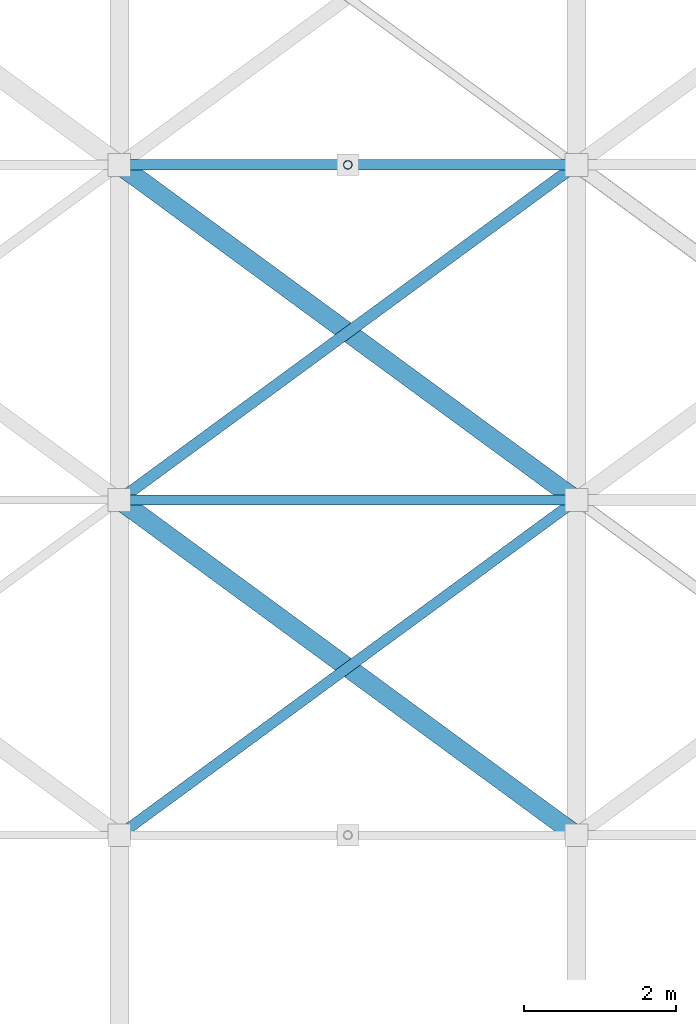
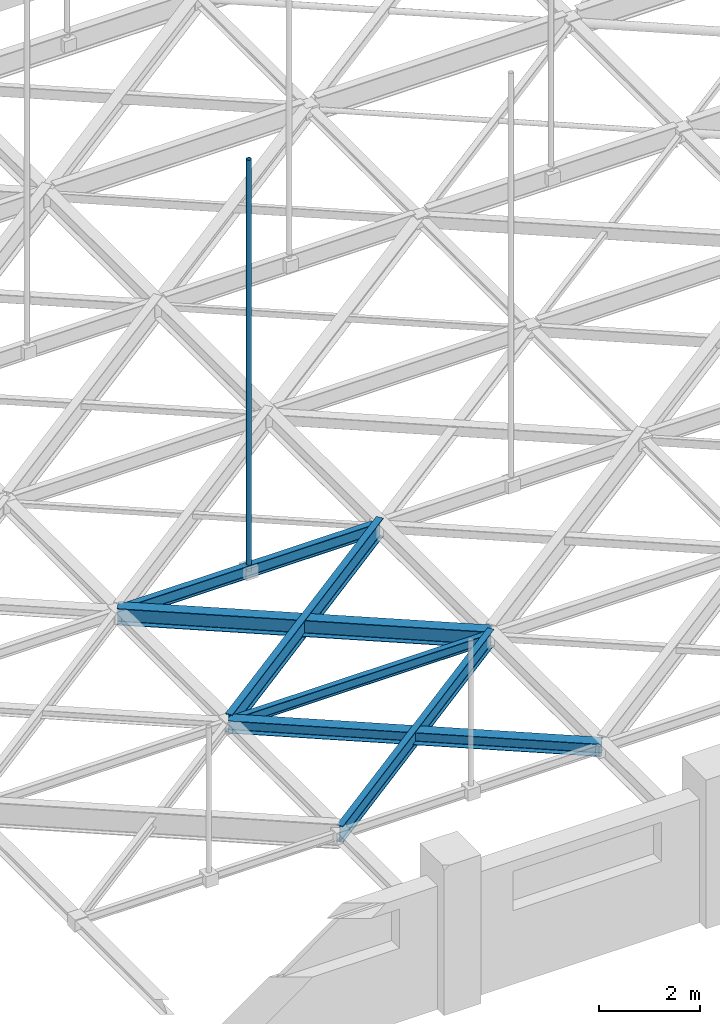
# One storey, part 25 of 93: 5 members, 2 beams.
"""IFC4 building model written with IfcOpenShell, lengths in metres."""

from ifc_helpers import new_model, si_unit, direction, frame, origin, origin_2d, place, context, subcontext, project, spatial, hollow_circle, i_section, extrude, material, material_profile, profile_set, type_object, element, save


model = new_model("IFC4")

# Units and contexts
model_context = context("Model", 3, precision=1e-05, world=origin(), true_north=direction((0.0, 1.0)))
body_context = subcontext(model_context, "Body", "Model", "MODEL_VIEW")
ifc_project = project(units=[si_unit("LENGTHUNIT", "METRE"), si_unit("AREAUNIT", "SQUARE_METRE"), si_unit("VOLUMEUNIT", "CUBIC_METRE"), si_unit("PLANEANGLEUNIT", "RADIAN"), si_unit("MASSUNIT", "GRAM", prefix="KILO")], contexts=[model_context])

# Site, building, storey
site_placement = place(None, origin())
site = spatial("IfcSite", under=ifc_project, at=site_placement, CompositionType="ELEMENT")
building_placement = place(site_placement, origin())
building = spatial("IfcBuilding", under=site, at=building_placement, Name="Varnakota Cinema and Media Centre", CompositionType="ELEMENT")
storey_placement = place(building_placement, frame((0.0, 0.0, 12.0)))
storey = spatial("IfcBuildingStorey", under=building, at=storey_placement, Name="L03", CompositionType="ELEMENT", Elevation=12.0)

# Beams
ifc_material_1 = material(Name="Structural steel Grade 350 (E350)", Category="steel")
ifc_material_profile_1 = material_profile(ifc_material_1, i_section(OverallWidth=0.125, OverallDepth=0.25, WebThickness=0.0068359375, FlangeThickness=0.012451171875, FilletRadius=0.012939453125, at=origin_2d()), Name="ISMB 250")
ifc_profile_set_1 = profile_set([ifc_material_profile_1], Name="Structural steel Grade 350 (E350)")
beam_type_1 = type_object("IfcBeamType", Name="BM-ST-ISMB250", PredefinedType="JOIST", material=ifc_profile_set_1)
beam_1_placement = place(storey_placement, frame((87.139892578125, 8.800048828125, 1.300048828125), z_axis=(1.0, 0.0, 0.0), x_axis=(0.0, 1.0, 0.0)))
element("IfcBeam", 1, at=beam_1_placement, inside=storey, type_object=beam_type_1, Name="V1 rigging beam 3.2", PredefinedType="JOIST", context=body_context, shape_type="SweptSolid", body=[
    extrude(i_section(OverallWidth=0.125, OverallDepth=0.25, WebThickness=0.0068359375, FlangeThickness=0.012451171875, FilletRadius=0.012939453125, at=origin_2d()), origin(), (0.0, 0.0, 1.0), 5.72021484375),
])
ifc_material_2 = material(Name="Structural steel Grade 350 (E350)", Category="steel")
ifc_material_profile_2 = material_profile(ifc_material_2, i_section(OverallWidth=0.139892578125, OverallDepth=0.300048828125, WebThickness=0.0078125, FlangeThickness=0.01318359375, FilletRadius=0.013916015625, at=origin_2d()), Name="ISMB 300")
ifc_profile_set_2 = profile_set([ifc_material_profile_2], Name="Structural steel Grade 350 (E350)")
beam_type_2 = type_object("IfcBeamType", Name="BM-ST-ISMB300", PredefinedType="JOIST", material=ifc_profile_set_2)
beam_2_placement = place(storey_placement, frame((87.139892578125, 13.199951171875, 1.300048828125), z_axis=(1.0, 0.0, 0.0), x_axis=(0.0, 1.0, 0.0)))
element("IfcBeam", 2, at=beam_2_placement, inside=storey, type_object=beam_type_2, Name="V1 rigging beam 3.3", PredefinedType="JOIST", context=body_context, shape_type="SweptSolid", body=[
    extrude(i_section(OverallWidth=0.139892578125, OverallDepth=0.300048828125, WebThickness=0.0078125, FlangeThickness=0.01318359375, FilletRadius=0.013916015625, at=origin_2d()), origin(), (0.0, 0.0, 1.0), 5.72021484375),
])

# Members
ifc_material_3 = material(Name="Structural steel S355 (YSt 355)", Category="steel")
ifc_material_profile_3 = material_profile(ifc_material_3, hollow_circle(Radius=0.05712890625, WallThickness=0.00537109375, at=origin_2d()), Name="CHS 114.3x5.4")
ifc_profile_set_3 = profile_set([ifc_material_profile_3], Name="Structural steel S355 (YSt 355)")
member_type_1 = type_object("IfcMemberType", Name="MEM-ST-CHS114_3x5_4", PredefinedType="BRACE", material=ifc_profile_set_3)
member_1_placement = place(storey_placement, frame((90.0, 13.199951171875, 1.300048828125), z_axis=(0.0, 0.0, 1.0), x_axis=(1.0, 0.0, 0.0)))
element("IfcMember", 3, at=member_1_placement, inside=storey, type_object=member_type_1, Name="V1 rigging hanger 3.2", PredefinedType="BRACE", context=body_context, shape_type="SweptSolid", body=[
    extrude(hollow_circle(Radius=0.05712890625, WallThickness=0.00537109375, at=origin_2d()), origin(), (0.0, 0.0, 1.0), 9.949951171875),
])
ifc_material_4 = material(Name="Structural steel Grade 350 (E350)", Category="steel")
ifc_material_profile_4 = material_profile(ifc_material_4, i_section(OverallWidth=0.25, OverallDepth=0.300048828125, WebThickness=0.009521484375, FlangeThickness=0.010498046875, FilletRadius=0.010986328125, at=origin_2d()), Name="ISHB 300")
ifc_profile_set_4 = profile_set([ifc_material_profile_4], Name="Structural steel Grade 350 (E350)")
member_type_2 = type_object("IfcMemberType", Name="MEM-ST-ISHB300", PredefinedType="CHORD", material=ifc_profile_set_4)
member_2_placement = place(storey_placement, frame((93.0, 4.39990234375, 1.300048828125), z_axis=(-0.806395607258, 0.591376466048, 0.0), x_axis=(-0.591376466048, -0.806395607258, 0.0)))
element("IfcMember", 4, at=member_2_placement, inside=storey, type_object=member_type_2, Name="V1 rigging plan member B 3.1", PredefinedType="CHORD", context=body_context, shape_type="SweptSolid", body=[
    extrude(i_section(OverallWidth=0.25, OverallDepth=0.300048828125, WebThickness=0.009521484375, FlangeThickness=0.010498046875, FilletRadius=0.010986328125, at=origin_2d()), origin(), (0.0, 0.0, 1.0), 7.4404296875),
])
ifc_material_5 = material(Name="Structural steel Grade 350 (E350)", Category="steel")
ifc_material_profile_5 = material_profile(ifc_material_5, i_section(OverallWidth=0.25, OverallDepth=0.39990234375, WebThickness=0.010498046875, FlangeThickness=0.0126953125, FilletRadius=0.011962890625, at=origin_2d()), Name="ISHB 400")
ifc_profile_set_5 = profile_set([ifc_material_profile_5], Name="Structural steel Grade 350 (E350)")
member_type_3 = type_object("IfcMemberType", Name="MEM-ST-ISHB400", PredefinedType="CHORD", material=ifc_profile_set_5)
member_3_placement = place(storey_placement, frame((93.0, 8.800048828125, 1.300048828125), z_axis=(-0.80641125493, 0.591355128432, 0.0), x_axis=(-0.591355128432, -0.80641125493, 0.0)))
element("IfcMember", 5, at=member_3_placement, inside=storey, type_object=member_type_3, Name="V1 rigging plan member B 3.2", PredefinedType="CHORD", context=body_context, shape_type="SweptSolid", body=[
    extrude(i_section(OverallWidth=0.25, OverallDepth=0.39990234375, WebThickness=0.010498046875, FlangeThickness=0.0126953125, FilletRadius=0.011962890625, at=origin_2d()), origin(), (0.0, 0.0, 1.0), 7.4404296875),
])
ifc_material_6 = material(Name="Structural steel Grade 350 (E350)", Category="steel")
ifc_material_profile_6 = material_profile(ifc_material_6, i_section(OverallWidth=0.139892578125, OverallDepth=0.39990234375, WebThickness=0.0087890625, FlangeThickness=0.01611328125, FilletRadius=0.013916015625, at=origin_2d()), Name="ISMB 400")
ifc_profile_set_6 = profile_set([ifc_material_profile_6], Name="Structural steel Grade 350 (E350)")
member_type_4 = type_object("IfcMemberType", Name="MEM-ST-ISMB400", PredefinedType="RAFTER", material=ifc_profile_set_6)
member_4_placement = place(storey_placement, frame((87.0, 4.39990234375, 1.300048828125), z_axis=(0.806395607258, 0.591376466048, 0.0), x_axis=(-0.591376466048, 0.806395607258, 0.0)))
element("IfcMember", 6, at=member_4_placement, inside=storey, type_object=member_type_4, Name="V1 rigging plan member A 3.1", PredefinedType="RAFTER", context=body_context, shape_type="SweptSolid", body=[
    extrude(i_section(OverallWidth=0.139892578125, OverallDepth=0.39990234375, WebThickness=0.0087890625, FlangeThickness=0.01611328125, FilletRadius=0.013916015625, at=origin_2d()), origin(), (0.0, 0.0, 1.0), 7.4404296875),
])
ifc_material_7 = material(Name="Structural steel Grade 350 (E350)", Category="steel")
ifc_material_profile_7 = material_profile(ifc_material_7, i_section(OverallWidth=0.14990234375, OverallDepth=0.449951171875, WebThickness=0.009521484375, FlangeThickness=0.017333984375, FilletRadius=0.014892578125, at=origin_2d()), Name="ISMB 450")
ifc_profile_set_7 = profile_set([ifc_material_profile_7], Name="Structural steel Grade 350 (E350)")
member_type_5 = type_object("IfcMemberType", Name="MEM-ST-ISMB450", PredefinedType="RAFTER", material=ifc_profile_set_7)
member_5_placement = place(storey_placement, frame((87.0, 8.800048828125, 1.300048828125), z_axis=(0.80641125493, 0.591355128432, 0.0), x_axis=(-0.591355128432, 0.80641125493, 0.0)))
element("IfcMember", 7, at=member_5_placement, inside=storey, type_object=member_type_5, Name="V1 rigging plan member A 3.2", PredefinedType="RAFTER", context=body_context, shape_type="SweptSolid", body=[
    extrude(i_section(OverallWidth=0.14990234375, OverallDepth=0.449951171875, WebThickness=0.009521484375, FlangeThickness=0.017333984375, FilletRadius=0.014892578125, at=origin_2d()), origin(), (0.0, 0.0, 1.0), 7.4404296875),
])

save(model, "model.ifc")
